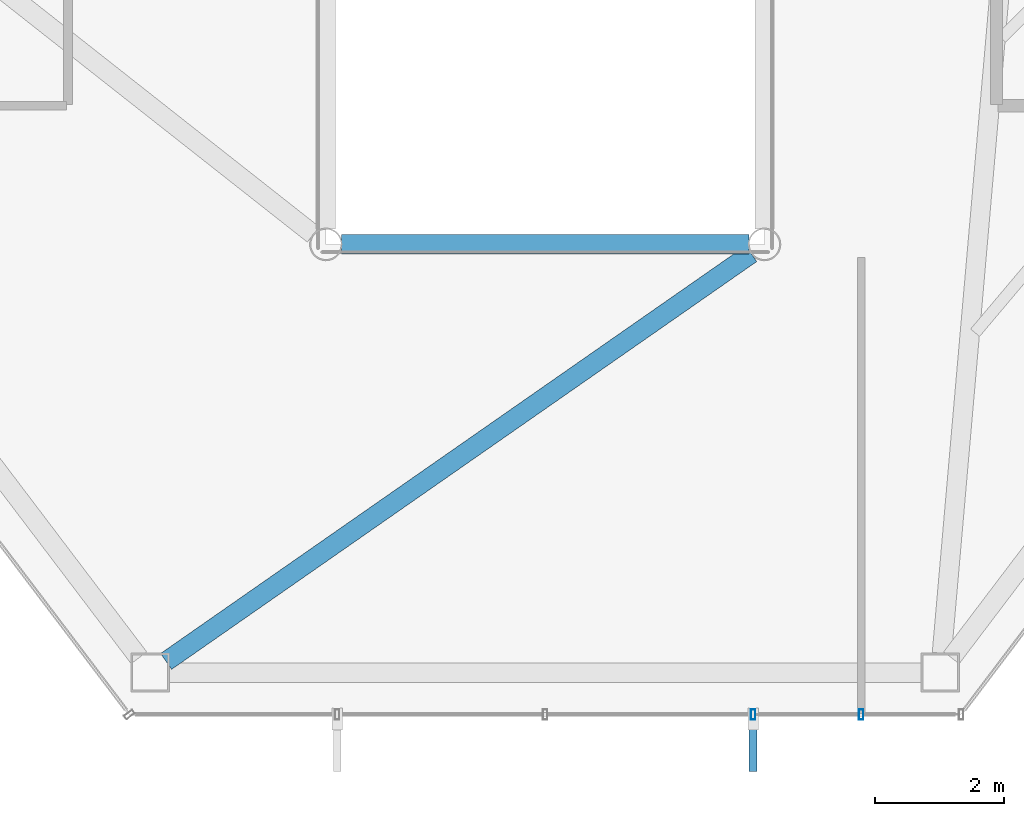
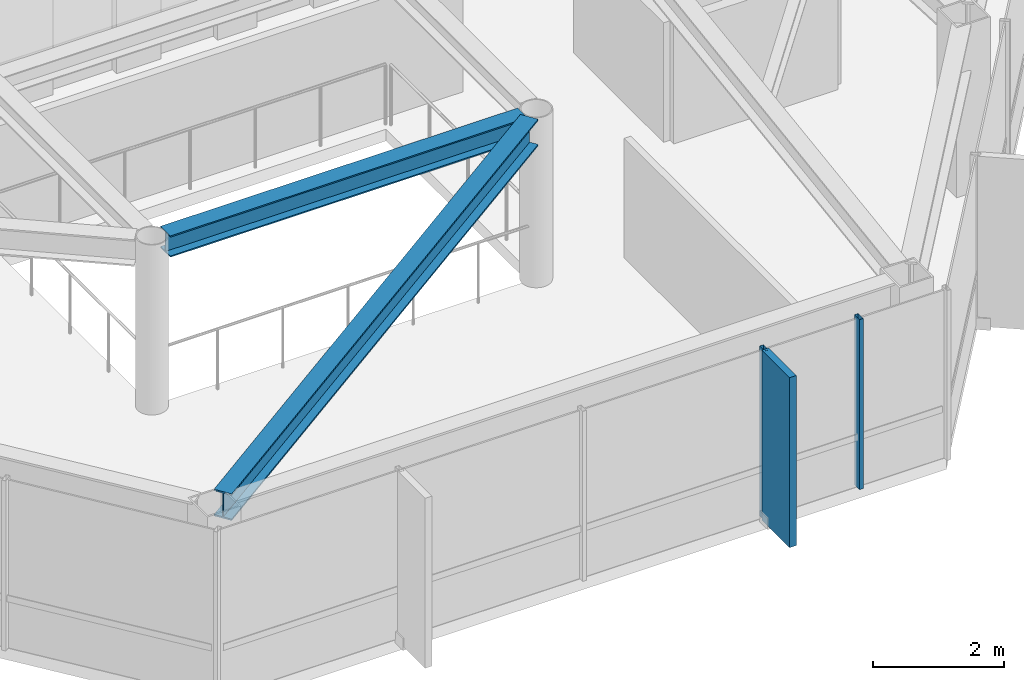
# One storey, part 6 of 25: 3 members, 2 beams, 1 element without a shape of its own.
"""IFC4 building model written with IfcOpenShell, lengths in metres."""

from ifc_helpers import new_model, si_unit, direction, frame, origin, origin_2d, place, context, subcontext, project, spatial, rectangle, hollow_rectangle, i_section, extrude, material, layer, layer_set, material_profile, profile_set, type_object, element, aggregate, save


model = new_model("IFC4")

# Units and contexts
model_context = context("Model", 3, precision=1e-05, world=origin(), true_north=direction((0.0, 1.0)))
body_context = subcontext(model_context, "Body", "Model", "MODEL_VIEW")
ifc_project = project(units=[si_unit("LENGTHUNIT", "METRE"), si_unit("AREAUNIT", "SQUARE_METRE"), si_unit("VOLUMEUNIT", "CUBIC_METRE"), si_unit("PLANEANGLEUNIT", "RADIAN"), si_unit("MASSUNIT", "GRAM", prefix="KILO")], contexts=[model_context])

# Site, building, storey
site_placement = place(None, origin())
site = spatial("IfcSite", under=ifc_project, at=site_placement, CompositionType="ELEMENT")
building_placement = place(site_placement, origin())
building = spatial("IfcBuilding", under=site, at=building_placement, Name="Zarrinselat Tower", CompositionType="ELEMENT")
storey_placement = place(building_placement, frame((0.0, 0.0, 212.159912109375)))
storey = spatial("IfcBuildingStorey", under=building, at=storey_placement, Name="L52", CompositionType="ELEMENT", Elevation=212.159912109375)

# Beams
ifc_material_1 = material(Name="Steel S355J2", Category="steel")
ifc_material_profile_1 = material_profile(ifc_material_1, i_section(OverallWidth=0.300048828125, OverallDepth=0.39990234375, WebThickness=0.013427734375, FlangeThickness=0.02392578125, at=origin_2d()), Name="HEB 400")
ifc_profile_set_1 = profile_set([ifc_material_profile_1], Name="Steel S355J2")
beam_type_1 = type_object("IfcBeamType", Name="BM-HEB400", PredefinedType="BEAM", material=ifc_profile_set_1)
beam_1_placement = place(storey_placement, frame((35.239990234375, 25.199951171875, 2.97998046875), z_axis=(1.0, 0.0, 0.0), x_axis=(0.0, 1.0, 0.0)))
element("IfcBeam", 1, at=beam_1_placement, inside=storey, type_object=beam_type_1, Name="L52 Atrium Edge Beam S", PredefinedType="BEAM", context=body_context, shape_type="SweptSolid", body=[
    extrude(i_section(OverallWidth=0.300048828125, OverallDepth=0.39990234375, WebThickness=0.013427734375, FlangeThickness=0.02392578125, at=origin_2d()), origin(), (0.0, 0.0, 1.0), 6.320068359375),
])
ifc_material_2 = material(Name="Steel S355J2", Category="steel")
ifc_material_profile_2 = material_profile(ifc_material_2, i_section(OverallWidth=0.300048828125, OverallDepth=0.5, WebThickness=0.014404296875, FlangeThickness=0.028076171875, at=origin_2d()), Name="HEB 500")
ifc_profile_set_2 = profile_set([ifc_material_profile_2], Name="Steel S355J2")
beam_type_2 = type_object("IfcBeamType", Name="BM-HEB500", PredefinedType="BEAM", material=ifc_profile_set_2)
beam_2_placement = place(storey_placement, frame((32.521728515625, 18.733154296875, 2.93017578125), z_axis=(0.820400049564, 0.571789960279, 0.0), x_axis=(-0.571789960279, 0.820400049564, 0.0)))
element("IfcBeam", 2, at=beam_2_placement, inside=storey, type_object=beam_type_2, Name="L52 Radial Primary Girder RG10", PredefinedType="BEAM", context=body_context, shape_type="SweptSolid", body=[
    extrude(i_section(OverallWidth=0.300048828125, OverallDepth=0.5, WebThickness=0.014404296875, FlangeThickness=0.028076171875, at=origin_2d()), origin(), (0.0, 0.0, 1.0), 11.0595703125),
])

# Curtain wall, members
ifc_material_3 = material(Name="Extruded Aluminium Alloy EN AW-6063 T6", Category="aluminium")
ifc_layer = layer(ifc_material_3, 0.169921875)
ifc_layer_set = layer_set([ifc_layer], Name="Extruded Aluminium Alloy EN AW-6063 T6")
curtain_wall_type = type_object("IfcCurtainWallType", Name="CWS-RES", PredefinedType="NOTDEFINED", material=ifc_layer_set)
curtain_wall_placement = place(storey_placement, origin())
curtain_wall = element("IfcCurtainWall", 3, at=curtain_wall_placement, inside=storey, type_object=curtain_wall_type, Name="L52 Unitised Curtain Wall CW-L52-E04", PredefinedType="NOTDEFINED")
ifc_material_4 = material(Name="Extruded Aluminium Alloy EN AW-6063 T6", Category="aluminium")
ifc_material_profile_3 = material_profile(ifc_material_4, hollow_rectangle(XDim=0.070068359375, YDim=0.159912109375, WallThickness=0.00390625, at=origin_2d()), Name="RHS 160x70x4")
ifc_profile_set_3 = profile_set([ifc_material_profile_3], Name="Extruded Aluminium Alloy EN AW-6063 T6")
member_type_1 = type_object("IfcMemberType", Name="MEM-CW-MUL2", PredefinedType="MULLION", material=ifc_profile_set_3)
member_1_placement = place(storey_placement, frame((41.62451171875, 17.910400390625, 0.0), z_axis=(0.0, 0.0, 1.0), x_axis=(1.0, 0.0, 0.0)))
member_1 = element("IfcMember", 4, at=member_1_placement, type_object=member_type_1, Name="CW-L52-E04 Mullion 3", PredefinedType="MULLION", context=body_context, shape_type="SweptSolid", body=[
    extrude(hollow_rectangle(XDim=0.070068359375, YDim=0.159912109375, WallThickness=0.00390625, at=origin_2d()), origin(), (0.0, 0.0, 1.0), 3.18017578125),
])
member_2_placement = place(storey_placement, frame((43.300048828125, 17.910400390625, 0.0), z_axis=(0.0, 0.0, 1.0), x_axis=(1.0, 0.0, 0.0)))
member_2 = element("IfcMember", 5, at=member_2_placement, type_object=member_type_1, Name="CW-L52-E04 Mullion 4", PredefinedType="MULLION", context=body_context, shape_type="SweptSolid", body=[
    extrude(hollow_rectangle(XDim=0.070068359375, YDim=0.159912109375, WallThickness=0.00390625, at=origin_2d()), origin(), (0.0, 0.0, 1.0), 3.18017578125),
])
ifc_material_5 = material(Name="Honed Cream Travertine Stone", Category="masonry")
ifc_material_profile_4 = material_profile(ifc_material_5, rectangle(XDim=0.1201171875, YDim=0.85009765625, at=origin_2d()), Name="FIN 850x120")
ifc_profile_set_4 = profile_set([ifc_material_profile_4], Name="Honed Cream Travertine Stone")
member_type_2 = type_object("IfcMemberType", Name="MEM-STONE-FIN", PredefinedType="USERDEFINED", material=ifc_profile_set_4)
member_3_placement = place(storey_placement, frame((41.62451171875, 17.450439453125, 0.0), z_axis=(0.0, 0.0, 1.0), x_axis=(-1.0, 0.0, 0.0)))
member_3 = element("IfcMember", 6, at=member_3_placement, type_object=member_type_2, Name="L52 Stone Shading Fin CW-L52-E04-03", ObjectType="FIN", PredefinedType="USERDEFINED", context=body_context, shape_type="SweptSolid", body=[
    extrude(rectangle(XDim=0.1201171875, YDim=0.85009765625, at=origin_2d()), origin(), (0.0, 0.0, 1.0), 3.18017578125),
])
aggregate(curtain_wall, [member_1, member_3, member_2])

save(model, "model.ifc")
